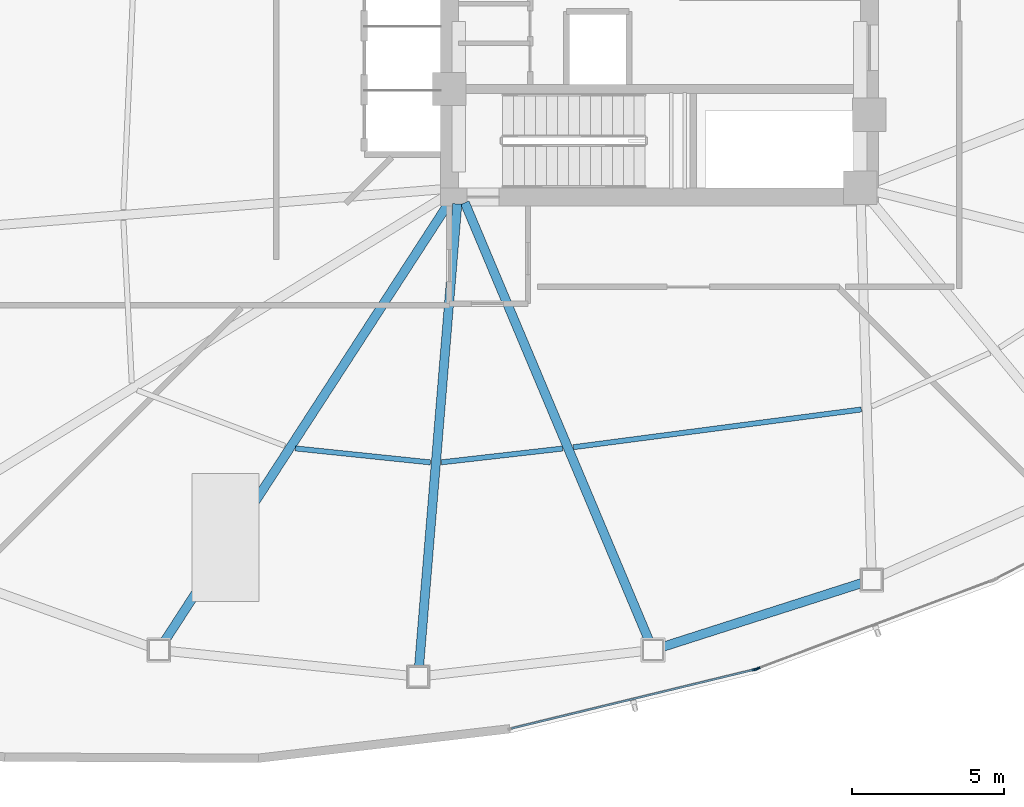
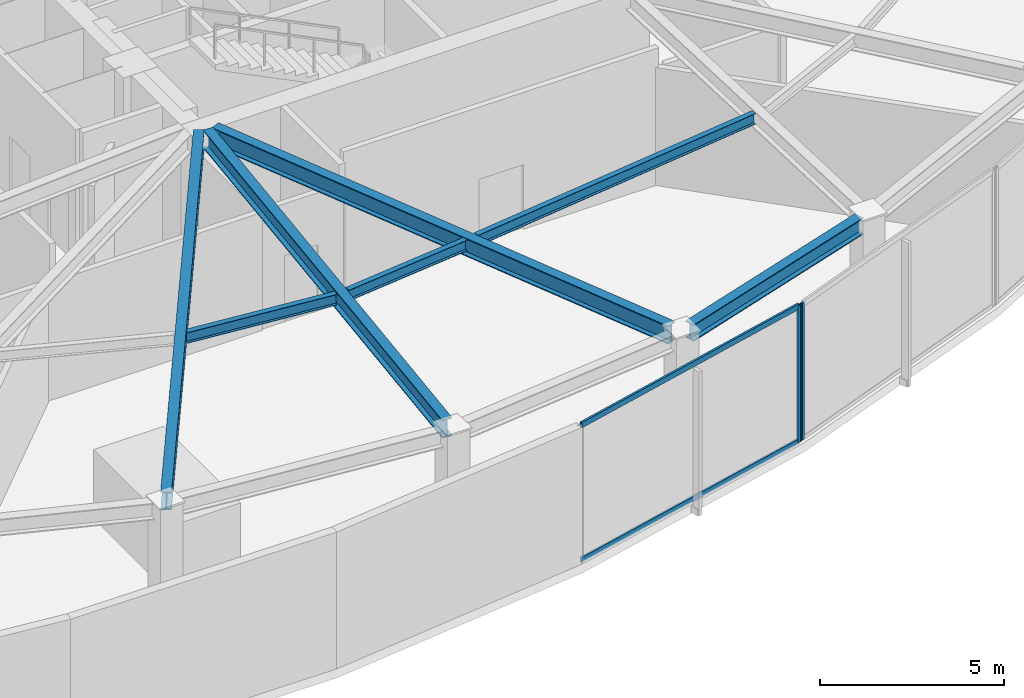
# One storey, part 3 of 16: 7 beams, 4 members, 2 elements without a shape of their own.
"""IFC4 building model written with IfcOpenShell, lengths in metres."""

from ifc_helpers import new_model, si_unit, direction, frame, origin, origin_2d, place, context, subcontext, project, spatial, hollow_rectangle, i_section, extrude, source, transform, mapped, material, layer, layer_set, material_profile, profile_set, type_object, type_shapes, element, aggregate, save


model = new_model("IFC4")

# Units and contexts
model_context = context("Model", 3, precision=1e-05, world=origin(), true_north=direction((0.0, 1.0)))
body_context = subcontext(model_context, "Body", "Model", "MODEL_VIEW")
ifc_project = project(units=[si_unit("LENGTHUNIT", "METRE"), si_unit("AREAUNIT", "SQUARE_METRE"), si_unit("VOLUMEUNIT", "CUBIC_METRE"), si_unit("PLANEANGLEUNIT", "RADIAN"), si_unit("MASSUNIT", "GRAM", prefix="KILO")], contexts=[model_context])

# Site, building, storey
site_placement = place(None, origin())
site = spatial("IfcSite", under=ifc_project, at=site_placement, CompositionType="ELEMENT")
building_placement = place(site_placement, origin())
building = spatial("IfcBuilding", under=site, at=building_placement, Name="Tavelor Broadcast Tower", CompositionType="ELEMENT")
storey_placement = place(building_placement, frame((0.0, 0.0, 97.800048828125)))
storey = spatial("IfcBuildingStorey", under=building, at=storey_placement, Name="L23", CompositionType="ELEMENT", Elevation=97.800048828125)

# Beams
ifc_material_1 = material(Name="Steel S355", Category="steel")
ifc_material_profile_1 = material_profile(ifc_material_1, i_section(OverallWidth=0.169921875, OverallDepth=0.360107421875, WebThickness=0.008056640625, FlangeThickness=0.0126953125, at=origin_2d()), Name="IPE 360")
ifc_profile_set_1 = profile_set([ifc_material_profile_1], Name="Steel S355")
beam_type_1 = type_object("IfcBeamType", Name="Composite Floor Joist T2 IPE 360", PredefinedType="JOIST", material=ifc_profile_set_1)
beam_1_placement = place(storey_placement, frame((38.04052734375, 30.240966796875, 4.369873046875), z_axis=(0.99467108558, -0.103099134387, 0.0), x_axis=(0.103099134387, 0.99467108558, 0.0)))
element("IfcBeam", 1, at=beam_1_placement, inside=storey, type_object=beam_type_1, Name="L23 Secondary Composite Floor Joist 08", PredefinedType="JOIST", context=body_context, shape_type="SweptSolid", body=[
    extrude(i_section(OverallWidth=0.169921875, OverallDepth=0.360107421875, WebThickness=0.008056640625, FlangeThickness=0.0126953125, at=origin_2d()), origin(), (0.0, 0.0, 1.0), 4.45654296875),
])
beam_2_placement = place(storey_placement, frame((42.833251953125, 29.783203125, 4.369873046875), z_axis=(0.993569155888, 0.113226906995, 0.0), x_axis=(-0.113226906995, 0.993569155888, 0.0)))
element("IfcBeam", 2, at=beam_2_placement, inside=storey, type_object=beam_type_1, Name="L23 Secondary Composite Floor Joist 09", PredefinedType="JOIST", context=body_context, shape_type="SweptSolid", body=[
    extrude(i_section(OverallWidth=0.169921875, OverallDepth=0.360107421875, WebThickness=0.008056640625, FlangeThickness=0.0126953125, at=origin_2d()), origin(), (0.0, 0.0, 1.0), 4.00634765625),
])
beam_3_placement = place(storey_placement, frame((47.173095703125, 30.281005859375, 4.369873046875), z_axis=(0.991523318151, 0.129928863469, 0.0), x_axis=(-0.129928863469, 0.991523318151, 0.0)))
element("IfcBeam", 3, at=beam_3_placement, inside=storey, type_object=beam_type_1, Name="L23 Secondary Composite Floor Joist 10", PredefinedType="JOIST", context=body_context, shape_type="SweptSolid", body=[
    extrude(i_section(OverallWidth=0.169921875, OverallDepth=0.360107421875, WebThickness=0.008056640625, FlangeThickness=0.0126953125, at=origin_2d()), origin(), (0.0, 0.0, 1.0), 9.539794921875),
])
ifc_material_profile_2 = material_profile(ifc_material_1, i_section(OverallWidth=0.300048828125, OverallDepth=0.550048828125, WebThickness=0.014892578125, FlangeThickness=0.029052734375, at=origin_2d()), Name="HEB 550")
ifc_profile_set_2 = profile_set([ifc_material_profile_2], Name="Steel S355")
beam_type_2 = type_object("IfcBeamType", Name="Perimeter Spandrel Beam T2 HEB 550", PredefinedType="SPANDREL", material=ifc_profile_set_2)
beam_4_placement = place(storey_placement, frame((50.106689453125, 23.720458984375, 4.27490234375), z_axis=(0.952297103541, 0.305172453849, 0.0), x_axis=(-0.305172453849, 0.952297103541, 0.0)))
element("IfcBeam", 4, at=beam_4_placement, inside=storey, type_object=beam_type_2, Name="L23 Framed-Tube Ring Spandrel 10", PredefinedType="SPANDREL", context=body_context, shape_type="SweptSolid", body=[
    extrude(i_section(OverallWidth=0.300048828125, OverallDepth=0.550048828125, WebThickness=0.014892578125, FlangeThickness=0.029052734375, at=origin_2d()), origin(), (0.0, 0.0, 1.0), 6.876953125),
])
ifc_material_profile_3 = material_profile(ifc_material_1, i_section(OverallWidth=0.300048828125, OverallDepth=0.60009765625, WebThickness=0.015380859375, FlangeThickness=0.030029296875, at=origin_2d()), Name="HEB 600")
ifc_profile_set_3 = profile_set([ifc_material_profile_3], Name="Steel S355")
beam_type_3 = type_object("IfcBeamType", Name="Radial Floor Girder T2 HEB 600", PredefinedType="BEAM", material=ifc_profile_set_3)
beam_5_placement = place(storey_placement, frame((43.11279296875, 38.35693359375, 4.25), z_axis=(-0.544192452451, -0.838960413068, 0.0), x_axis=(0.838960413068, -0.544192452451, 0.0)))
element("IfcBeam", 5, at=beam_5_placement, inside=storey, type_object=beam_type_3, Name="L23 Radial Primary Floor Girder 08", PredefinedType="BEAM", context=body_context, shape_type="SweptSolid", body=[
    extrude(i_section(OverallWidth=0.300048828125, OverallDepth=0.60009765625, WebThickness=0.015380859375, FlangeThickness=0.030029296875, at=origin_2d()), origin(), (0.0, 0.0, 1.0), 17.235107421875),
])
beam_6_placement = place(storey_placement, frame((43.3564453125, 38.273681640625, 4.25), z_axis=(-0.082335312762, -0.996604684051, 0.0), x_axis=(0.996604684051, -0.082335312762, 0.0)))
element("IfcBeam", 6, at=beam_6_placement, inside=storey, type_object=beam_type_3, Name="L23 Radial Primary Floor Girder 09", PredefinedType="BEAM", context=body_context, shape_type="SweptSolid", body=[
    extrude(i_section(OverallWidth=0.300048828125, OverallDepth=0.60009765625, WebThickness=0.015380859375, FlangeThickness=0.030029296875, at=origin_2d()), origin(), (0.0, 0.0, 1.0), 15.25),
])
beam_7_placement = place(storey_placement, frame((43.604736328125, 38.313232421875, 4.25), z_axis=(0.387755556571, -0.921762240683, 0.0), x_axis=(0.921762240683, 0.387755556571, 0.0)))
element("IfcBeam", 7, at=beam_7_placement, inside=storey, type_object=beam_type_3, Name="L23 Radial Primary Floor Girder 10", PredefinedType="BEAM", context=body_context, shape_type="SweptSolid", body=[
    extrude(i_section(OverallWidth=0.300048828125, OverallDepth=0.60009765625, WebThickness=0.015380859375, FlangeThickness=0.030029296875, at=origin_2d()), origin(), (0.0, 0.0, 1.0), 15.6064453125),
])

# Curtain wall, member
ifc_material_2 = material(Name="Architectural Anodized Aluminium", Category="aluminium")
ifc_layer = layer(ifc_material_2, 0.179931640625)
ifc_layer_set = layer_set([ifc_layer], Name="Architectural Anodized Aluminium")
curtain_wall_type = type_object("IfcCurtainWallType", Name="Tower Low-Zone Unitised Curtain Wall CW02", PredefinedType="NOTDEFINED", material=ifc_layer_set)
curtain_wall_1_placement = place(storey_placement, origin())
curtain_wall_1 = element("IfcCurtainWall", 8, at=curtain_wall_1_placement, inside=storey, type_object=curtain_wall_type, Name="L23 Curtain Wall CW02 Run 233", PredefinedType="NOTDEFINED")
ifc_material_profile_4 = material_profile(ifc_material_2, hollow_rectangle(XDim=0.06494140625, YDim=0.179931640625, WallThickness=0.02197265625, at=origin_2d()), Name="RHS 65x180x22")
ifc_profile_set_4 = profile_set([ifc_material_profile_4], Name="Architectural Anodized Aluminium")
member_type_1 = type_object("IfcMemberType", Name="CW02 Extruded Aluminium Mullion 65x180", PredefinedType="MULLION", material=ifc_profile_set_4)
shared_shape_1 = source(origin(), body_context, "Body", "SweptSolid", [
    extrude(hollow_rectangle(XDim=0.06494140625, YDim=0.179931640625, WallThickness=0.02197265625, at=origin_2d()), origin(), (0.0, 0.0, 1.0), 4.550048828125),
])
type_shapes(member_type_1, [shared_shape_1])
member_1_placement = place(storey_placement, frame((53.125732421875, 22.9765625, 0.0), z_axis=(0.0, 0.0, 1.0), x_axis=(-0.235551147434, 0.971861953645, 0.0)))
member_1 = element("IfcMember", 9, at=member_1_placement, type_object=member_type_1, Name="CW02 mullion 2", PredefinedType="MULLION", context=body_context, shape_type="MappedRepresentation", body=[
    mapped(shared_shape_1, transform((0.0, 0.0, 0.0), scale=1.0)),
])

curtain_wall_2_placement = place(storey_placement, origin())
curtain_wall_2 = element("IfcCurtainWall", 10, at=curtain_wall_2_placement, inside=storey, type_object=curtain_wall_type, Name="L23 Curtain Wall CW02 Run 234", PredefinedType="NOTDEFINED")
member_2_placement = place(storey_placement, frame((53.21630859375, 23.00439453125, 0.0), z_axis=(0.0, 0.0, 1.0), x_axis=(-0.351442943235, 0.936209302266, 0.0)))
member_2 = element("IfcMember", 11, at=member_2_placement, type_object=member_type_1, Name="CW02 mullion 1", PredefinedType="MULLION", context=body_context, shape_type="MappedRepresentation", body=[
    mapped(shared_shape_1, transform((0.0, 0.0, 0.0), scale=1.0)),
])
aggregate(curtain_wall_2, [member_2])

# Member
ifc_material_profile_5 = material_profile(ifc_material_2, hollow_rectangle(XDim=0.06494140625, YDim=0.179931640625, WallThickness=0.02197265625, at=origin_2d()), Name="RHS 65x180x22")
ifc_profile_set_5 = profile_set([ifc_material_profile_5], Name="Architectural Anodized Aluminium")
member_type_2 = type_object("IfcMemberType", Name="CW02 Extruded Aluminium Transom 65x180", PredefinedType="USERDEFINED", material=ifc_profile_set_5)
shared_shape_2 = source(origin(), body_context, "Body", "SweptSolid", [
    extrude(hollow_rectangle(XDim=0.06494140625, YDim=0.179931640625, WallThickness=0.02197265625, at=origin_2d()), origin(), (0.0, 0.0, 1.0), 8.18505859375),
])
type_shapes(member_type_2, [shared_shape_2])
member_3_placement = place(storey_placement, frame((45.139404296875, 21.040771484375, 0.032470703125), z_axis=(0.97186314233, 0.235546242979, 0.0), x_axis=(-0.235546242979, 0.97186314233, 0.0)))
member_3 = element("IfcMember", 12, at=member_3_placement, type_object=member_type_2, Name="CW02 transom 1.1", ObjectType="TRANSOM", PredefinedType="USERDEFINED", context=body_context, shape_type="MappedRepresentation", body=[
    mapped(shared_shape_2, transform((0.0, 0.0, 0.0), scale=1.0)),
])

member_4_placement = place(storey_placement, frame((45.139404296875, 21.040771484375, 4.517333984375), z_axis=(0.97186314233, 0.235546242979, 0.0), x_axis=(-0.235546242979, 0.97186314233, 0.0)))
member_4 = element("IfcMember", 13, at=member_4_placement, type_object=member_type_2, Name="CW02 transom 1.2", ObjectType="TRANSOM", PredefinedType="USERDEFINED", context=body_context, shape_type="MappedRepresentation", body=[
    mapped(shared_shape_2, transform((0.0, 0.0, 0.0), scale=1.0)),
])

aggregate(curtain_wall_1, [member_1, member_3, member_4])

save(model, "model.ifc")
